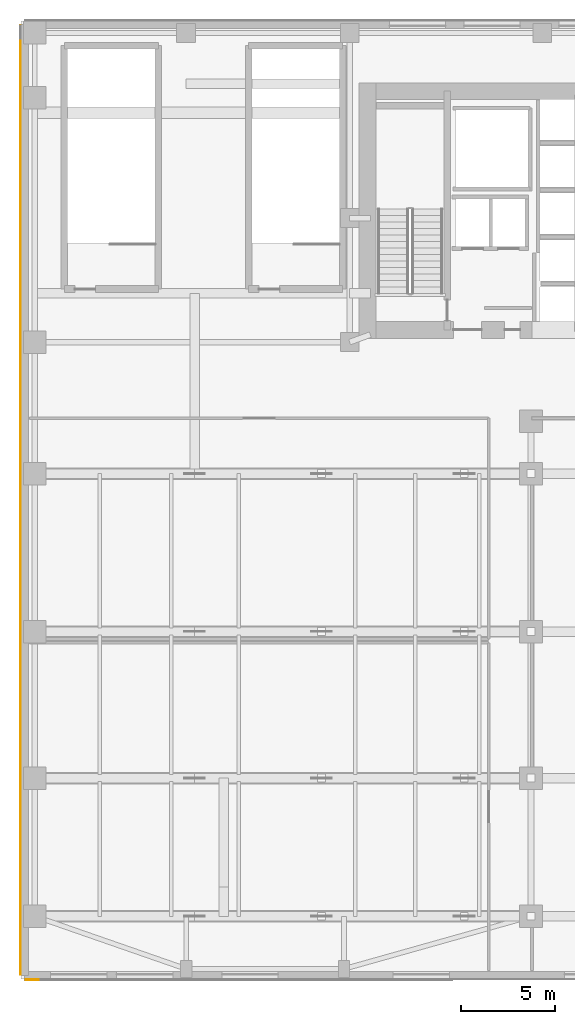
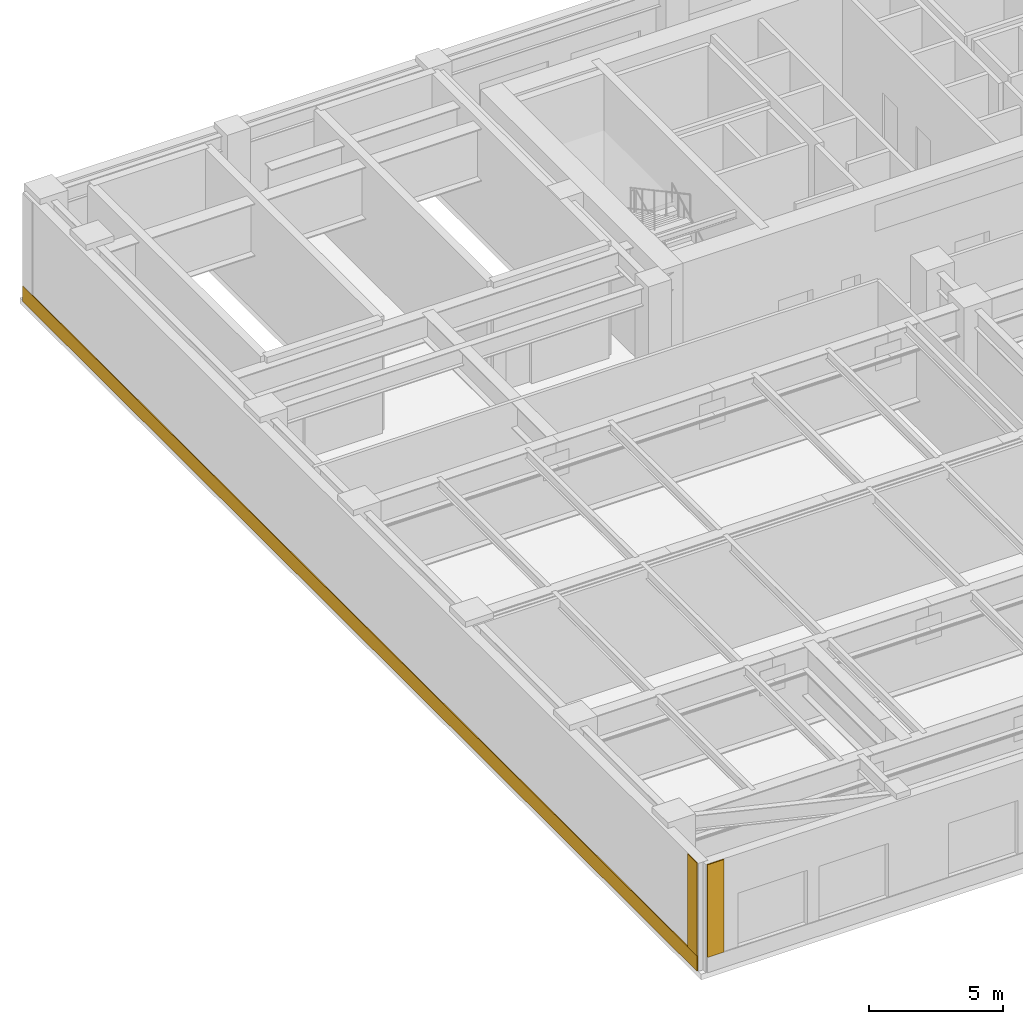
# One storey, part 9 of 14: 3 coverings.
"""IFC4 building model written with IfcOpenShell, lengths in metres."""

from ifc_helpers import new_model, si_unit, direction, frame, origin, place, context, subcontext, project, spatial, polyline, outline, extrude, material, layer, layer_set, type_object, element, save


model = new_model("IFC4")

# Units and contexts
model_context = context("Model", 3, precision=1e-05, world=origin(), true_north=direction((0.0, 1.0)))
body_context = subcontext(model_context, "Body", "Model", "MODEL_VIEW")
ifc_project = project(units=[si_unit("LENGTHUNIT", "METRE"), si_unit("AREAUNIT", "SQUARE_METRE"), si_unit("VOLUMEUNIT", "CUBIC_METRE"), si_unit("PLANEANGLEUNIT", "RADIAN"), si_unit("MASSUNIT", "GRAM", prefix="KILO")], contexts=[model_context])

# Site, building, storey
site_placement = place(None, origin())
site = spatial("IfcSite", under=ifc_project, at=site_placement, CompositionType="ELEMENT")
building_placement = place(site_placement, origin())
building = spatial("IfcBuilding", under=site, at=building_placement, Name="Tolvann Quenvar Hotel", CompositionType="ELEMENT")
storey_placement = place(building_placement, frame((0.0, 0.0, 26.800048828125)))
storey = spatial("IfcBuildingStorey", under=building, at=storey_placement, Name="L05", CompositionType="ELEMENT", Elevation=26.800048828125)

# Coverings
ifc_material_1 = material(Name="Kiln-fired red architectural face brick cladding", Category="masonry")
ifc_layer_1 = layer(ifc_material_1, 0.0400390625)
ifc_layer_set_1 = layer_set([ifc_layer_1], Name="Kiln-fired red architectural face brick cladding")
covering_type_1 = type_object("IfcCoveringType", Name="COV_CLAD_BRICK_40", PredefinedType="CLADDING", material=ifc_layer_set_1)
covering_1_placement = place(storey_placement, frame((0.0, 0.0, 0.699951171875)))
element("IfcCovering", 1, at=covering_1_placement, inside=storey, type_object=covering_type_1, Name="Brick Pier Cladding (L05-E05-P2)", PredefinedType="CLADDING", context=body_context, shape_type="SweptSolid", body=[
    extrude(outline(polyline([(-8.39990234375, -1.5400390625), (-8.39990234375, -2.239990234375), (-8.43994140625, -2.239990234375), (-8.43994140625, -1.5400390625), (-8.39990234375, -1.5400390625)])), origin(), (0.0, 0.0, 1.0), 4.239990234375),
])
covering_2_placement = place(storey_placement, frame((0.0, 0.0, 0.699951171875)))
element("IfcCovering", 2, at=covering_2_placement, inside=storey, type_object=covering_type_1, Name="Brick Pier Cladding (L05-E06-P1)", PredefinedType="CLADDING", context=body_context, shape_type="SweptSolid", body=[
    extrude(outline(polyline([(-8.139892578125, -2.5), (-7.43994140625, -2.5), (-7.43994140625, -2.5400390625), (-8.139892578125, -2.5400390625), (-8.139892578125, -2.5)])), origin(), (0.0, 0.0, 1.0), 4.239990234375),
])
ifc_material_2 = material(Name="Moulded buff architectural terracotta spandrel cladding", Category="masonry")
ifc_layer_2 = layer(ifc_material_2, 0.0400390625)
ifc_layer_set_2 = layer_set([ifc_layer_2], Name="Moulded buff architectural terracotta spandrel cladding")
covering_type_2 = type_object("IfcCoveringType", Name="COV_CLAD_TERRA_40", PredefinedType="CLADDING", material=ifc_layer_set_2)
covering_3_placement = place(storey_placement, origin())
element("IfcCovering", 3, at=covering_3_placement, inside=storey, type_object=covering_type_2, Name="Terracotta Spandrel Cladding (L05-E05)", PredefinedType="CLADDING", context=body_context, shape_type="SweptSolid", body=[
    extrude(outline(polyline([(-8.39990234375, 48.25), (-8.39990234375, -2.25), (-8.43994140625, -2.25), (-8.43994140625, 48.25), (-8.39990234375, 48.25)])), origin(), (0.0, 0.0, 1.0), 0.699951171875),
])

save(model, "model.ifc")
